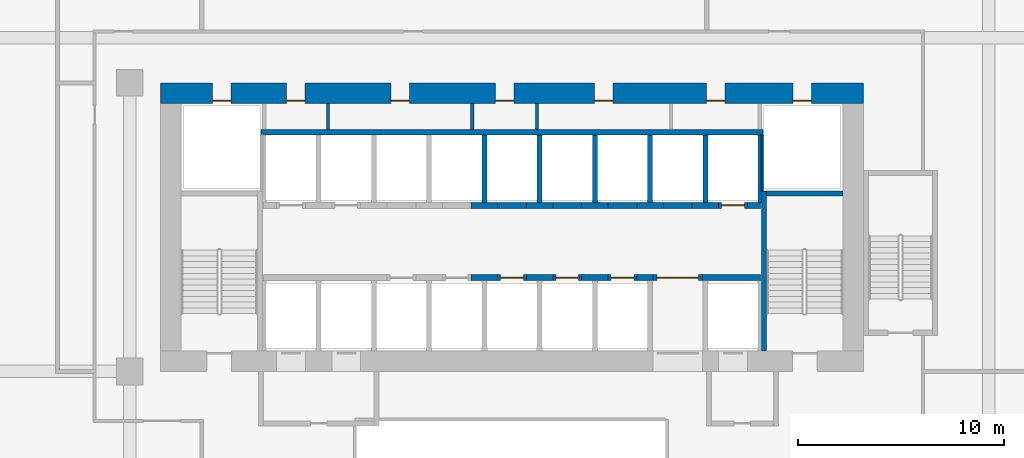
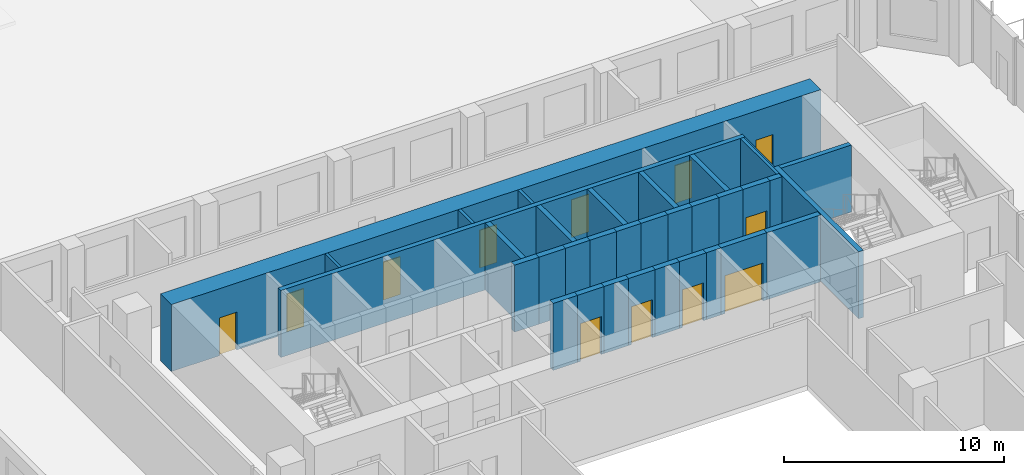
# One storey, part 18 of 29: 34 walls, 12 doors, 12 openings.
"""IFC4 building model written with IfcOpenShell, lengths in metres."""

from ifc_helpers import new_model, si_unit, direction, frame, frame_2d, origin, place, context, subcontext, project, spatial, rectangle, extrude, source, transform, mapped, material, layer, layer_set, type_object, element, fill, save


model = new_model("IFC4")

# Units and contexts
model_context = context("Model", 3, precision=1e-05, world=origin(), true_north=direction((0.0, 1.0)))
body_context = subcontext(model_context, "Body", "Model", "MODEL_VIEW")
ifc_project = project(units=[si_unit("LENGTHUNIT", "METRE"), si_unit("AREAUNIT", "SQUARE_METRE"), si_unit("VOLUMEUNIT", "CUBIC_METRE"), si_unit("PLANEANGLEUNIT", "RADIAN"), si_unit("MASSUNIT", "GRAM", prefix="KILO")], contexts=[model_context])

# Site, building, storey
site_placement = place(None, origin())
site = spatial("IfcSite", under=ifc_project, at=site_placement, CompositionType="ELEMENT")
building_placement = place(site_placement, origin())
building = spatial("IfcBuilding", under=site, at=building_placement, Name="Kilnfold Tower and Market Hall", CompositionType="ELEMENT")
storey_placement = place(building_placement, frame((0.0, 0.0, 27.0)))
storey = spatial("IfcBuildingStorey", under=building, at=storey_placement, Name="L05", CompositionType="ELEMENT", Elevation=27.0)

# Wall, openings, doors
ifc_material_1 = material(Name="Concrete C80", Category="concrete")
ifc_layer_1 = layer(ifc_material_1, 1.0)
ifc_layer_set_1 = layer_set([ifc_layer_1], Name="Concrete C80")
wall_type_1 = type_object("IfcWallType", Name="CORE WALL 1000 C80", PredefinedType="SHEAR", material=ifc_layer_set_1)
shared_shape_1 = source(origin(), body_context, "Body", "SweptSolid", [
    extrude(rectangle(XDim=34.10009765625, YDim=1.0, at=frame_2d((17.050048828125, 0.0))), origin(), (0.0, 0.0, 1.0), 3.719970703125),
])
wall_1_placement = place(storey_placement, frame((-16.0, 21.5, 0.0), z_axis=(0.0, 0.0, 1.0), x_axis=(1.0, 0.0, 0.0)))
wall_1 = element("IfcWall", 1, at=wall_1_placement, inside=storey, type_object=wall_type_1, Name="Core outer wall north", PredefinedType="SHEAR", context=body_context, shape_type="MappedRepresentation", body=[
    mapped(shared_shape_1, transform((0.0, 0.0, 0.0))),
])
opening_1_placement = place(wall_1_placement, frame((6.10791015625, 0.0, 0.0)))
opening_1 = element("IfcOpeningElement", 2, at=opening_1_placement, cuts=wall_1, Name="Opening KD1", PredefinedType="OPENING", context=body_context, shape_type="SweptSolid", body=[
    extrude(rectangle(XDim=0.89990234375, YDim=2.10009765625, at=frame_2d((0.449951171875, 1.050048828125))), frame((0.0, 0.510009765625, 0.0), z_axis=(0.0, -1.0, 0.0), x_axis=(1.0, 0.0, 0.0)), (0.0, 0.0, 1.0), 1.02001953125),
])
opening_2_placement = place(wall_1_placement, frame((11.173095703125, 0.0, 0.0)))
opening_2 = element("IfcOpeningElement", 3, at=opening_2_placement, cuts=wall_1, Name="Opening KD1", PredefinedType="OPENING", context=body_context, shape_type="SweptSolid", body=[
    extrude(rectangle(XDim=0.89990234375, YDim=2.10009765625, at=frame_2d((0.449951171875, 1.050048828125))), frame((0.0, 0.510009765625, 0.0), z_axis=(0.0, -1.0, 0.0), x_axis=(1.0, 0.0, 0.0)), (0.0, 0.0, 1.0), 1.02001953125),
])
opening_3_placement = place(wall_1_placement, frame((16.23828125, 0.0, 0.0)))
opening_3 = element("IfcOpeningElement", 4, at=opening_3_placement, cuts=wall_1, Name="Opening KD1", PredefinedType="OPENING", context=body_context, shape_type="SweptSolid", body=[
    extrude(rectangle(XDim=0.89990234375, YDim=2.10009765625, at=frame_2d((0.449951171875, 1.050048828125))), frame((0.0, 0.510009765625, 0.0), z_axis=(0.0, -1.0, 0.0), x_axis=(1.0, 0.0, 0.0)), (0.0, 0.0, 1.0), 1.02001953125),
])
opening_4_placement = place(wall_1_placement, frame((21.062255859375, 0.0, 0.0)))
opening_4 = element("IfcOpeningElement", 5, at=opening_4_placement, cuts=wall_1, Name="Opening KD1", PredefinedType="OPENING", context=body_context, shape_type="SweptSolid", body=[
    extrude(rectangle(XDim=0.89990234375, YDim=2.10009765625, at=frame_2d((0.449951171875, 1.050048828125))), frame((0.0, 0.510009765625, 0.0), z_axis=(0.0, -1.0, 0.0), x_axis=(1.0, 0.0, 0.0)), (0.0, 0.0, 1.0), 1.02001953125),
])
opening_5_placement = place(wall_1_placement, frame((26.4892578125, 0.0, 0.0)))
opening_5 = element("IfcOpeningElement", 6, at=opening_5_placement, cuts=wall_1, Name="Opening KD1", PredefinedType="OPENING", context=body_context, shape_type="SweptSolid", body=[
    extrude(rectangle(XDim=0.89990234375, YDim=2.10009765625, at=frame_2d((0.449951171875, 1.050048828125))), frame((0.0, 0.510009765625, 0.0), z_axis=(0.0, -1.0, 0.0), x_axis=(1.0, 0.0, 0.0)), (0.0, 0.0, 1.0), 1.02001953125),
])
opening_6_placement = place(wall_1_placement, frame((2.52490234375, 0.0, 0.0)))
opening_6 = element("IfcOpeningElement", 7, at=opening_6_placement, cuts=wall_1, Name="Opening KD1", PredefinedType="OPENING", context=body_context, shape_type="SweptSolid", body=[
    extrude(rectangle(XDim=0.89990234375, YDim=2.10009765625, at=frame_2d((0.449951171875, 1.050048828125))), frame((0.0, 0.510009765625, 0.0), z_axis=(0.0, -1.0, 0.0), x_axis=(1.0, 0.0, 0.0)), (0.0, 0.0, 1.0), 1.02001953125),
])
opening_7_placement = place(wall_1_placement, frame((30.675048828125, 0.0, 0.0)))
opening_7 = element("IfcOpeningElement", 8, at=opening_7_placement, cuts=wall_1, Name="Opening KD1", PredefinedType="OPENING", context=body_context, shape_type="SweptSolid", body=[
    extrude(rectangle(XDim=0.89990234375, YDim=2.10009765625, at=frame_2d((0.449951171875, 1.050048828125))), frame((0.0, 0.510009765625, 0.0), z_axis=(0.0, -1.0, 0.0), x_axis=(1.0, 0.0, 0.0)), (0.0, 0.0, 1.0), 1.02001953125),
])
ifc_material_2 = material(Name="Steel door set with fire-resisting leaf", Category="steel")
door_type_1 = type_object("IfcDoorType", Name="SERVICE DOOR 900X2100", OperationType="NOTDEFINED", PredefinedType="DOOR", material=ifc_material_2)
door_1_placement = place(opening_1_placement, origin())
door_1 = element("IfcDoor", 9, at=door_1_placement, inside=storey, type_object=door_type_1, Name="Core service door", OperationType="SINGLE_SWING_RIGHT", OverallHeight=2.10009765625, OverallWidth=0.89990234375, PredefinedType="DOOR", context=body_context, shape_type="SweptSolid", body=[
    extrude(rectangle(XDim=0.89990234375, YDim=2.10009765625, at=frame_2d((0.449951171875, 1.050048828125))), frame((0.0, -0.35498046875, 0.0), z_axis=(0.0, -1.0, 0.0), x_axis=(1.0, 0.0, 0.0)), (0.0, 0.0, 1.0), 0.050048828125),
])
fill(opening_1, door_1)
door_2_placement = place(opening_2_placement, origin())
door_2 = element("IfcDoor", 10, at=door_2_placement, inside=storey, type_object=door_type_1, Name="Core service door", OperationType="SINGLE_SWING_LEFT", OverallHeight=2.10009765625, OverallWidth=0.89990234375, PredefinedType="DOOR", context=body_context, shape_type="SweptSolid", body=[
    extrude(rectangle(XDim=0.89990234375, YDim=2.10009765625, at=frame_2d((0.449951171875, 1.050048828125))), frame((0.0, -0.35498046875, 0.0), z_axis=(0.0, -1.0, 0.0), x_axis=(1.0, 0.0, 0.0)), (0.0, 0.0, 1.0), 0.050048828125),
])
fill(opening_2, door_2)
door_3_placement = place(opening_3_placement, origin())
door_3 = element("IfcDoor", 11, at=door_3_placement, inside=storey, type_object=door_type_1, Name="Core service door", OperationType="SINGLE_SWING_RIGHT", OverallHeight=2.10009765625, OverallWidth=0.89990234375, PredefinedType="DOOR", context=body_context, shape_type="SweptSolid", body=[
    extrude(rectangle(XDim=0.89990234375, YDim=2.10009765625, at=frame_2d((0.449951171875, 1.050048828125))), frame((0.0, -0.35498046875, 0.0), z_axis=(0.0, -1.0, 0.0), x_axis=(1.0, 0.0, 0.0)), (0.0, 0.0, 1.0), 0.050048828125),
])
fill(opening_3, door_3)
door_4_placement = place(opening_4_placement, origin())
door_4 = element("IfcDoor", 12, at=door_4_placement, inside=storey, type_object=door_type_1, Name="Core service door", OperationType="SINGLE_SWING_LEFT", OverallHeight=2.10009765625, OverallWidth=0.89990234375, PredefinedType="DOOR", context=body_context, shape_type="SweptSolid", body=[
    extrude(rectangle(XDim=0.89990234375, YDim=2.10009765625, at=frame_2d((0.449951171875, 1.050048828125))), frame((0.0, -0.35498046875, 0.0), z_axis=(0.0, -1.0, 0.0), x_axis=(1.0, 0.0, 0.0)), (0.0, 0.0, 1.0), 0.050048828125),
])
fill(opening_4, door_4)
door_5_placement = place(opening_5_placement, origin())
door_5 = element("IfcDoor", 13, at=door_5_placement, inside=storey, type_object=door_type_1, Name="Core service door", OperationType="SINGLE_SWING_RIGHT", OverallHeight=2.10009765625, OverallWidth=0.89990234375, PredefinedType="DOOR", context=body_context, shape_type="SweptSolid", body=[
    extrude(rectangle(XDim=0.89990234375, YDim=2.10009765625, at=frame_2d((0.449951171875, 1.050048828125))), frame((0.0, -0.35498046875, 0.0), z_axis=(0.0, -1.0, 0.0), x_axis=(1.0, 0.0, 0.0)), (0.0, 0.0, 1.0), 0.050048828125),
])
fill(opening_5, door_5)
door_6_placement = place(opening_6_placement, origin())
door_6 = element("IfcDoor", 14, at=door_6_placement, inside=storey, type_object=door_type_1, Name="Electrical riser access door", OperationType="SINGLE_SWING_LEFT", OverallHeight=2.10009765625, OverallWidth=0.89990234375, PredefinedType="DOOR", context=body_context, shape_type="SweptSolid", body=[
    extrude(rectangle(XDim=0.89990234375, YDim=2.10009765625, at=frame_2d((0.449951171875, 1.050048828125))), frame((0.0, -0.35498046875, 0.0), z_axis=(0.0, -1.0, 0.0), x_axis=(1.0, 0.0, 0.0)), (0.0, 0.0, 1.0), 0.050048828125),
])
fill(opening_6, door_6)
door_7_placement = place(opening_7_placement, origin())
door_7 = element("IfcDoor", 15, at=door_7_placement, inside=storey, type_object=door_type_1, Name="Mechanical riser access door", OperationType="SINGLE_SWING_RIGHT", OverallHeight=2.10009765625, OverallWidth=0.89990234375, PredefinedType="DOOR", context=body_context, shape_type="SweptSolid", body=[
    extrude(rectangle(XDim=0.89990234375, YDim=2.10009765625, at=frame_2d((0.449951171875, 1.050048828125))), frame((0.0, -0.35498046875, 0.0), z_axis=(0.0, -1.0, 0.0), x_axis=(1.0, 0.0, 0.0)), (0.0, 0.0, 1.0), 0.050048828125),
])
fill(opening_7, door_7)

# Walls
ifc_material_3 = material(Name="Concrete C80", Category="concrete")
ifc_layer_2 = layer(ifc_material_3, 0.25)
ifc_layer_set_2 = layer_set([ifc_layer_2], Name="Concrete C80")
wall_type_2 = type_object("IfcWallType", Name="CORE WALL 250 C80", PredefinedType="SHEAR", material=ifc_layer_set_2)
shared_shape_2 = source(origin(), body_context, "Body", "SweptSolid", [
    extrude(rectangle(XDim=7.75, YDim=0.25, at=frame_2d((3.875, 0.0))), origin(), (0.0, 0.0, 1.0), 3.719970703125),
])
wall_2_placement = place(storey_placement, frame((13.27490234375, 9.0, 0.0), z_axis=(0.0, 0.0, 1.0), x_axis=(0.0, 1.0, 0.0)))
element("IfcWall", 16, at=wall_2_placement, inside=storey, type_object=wall_type_2, Name="Stair enclosure ST2", PredefinedType="SHEAR", context=body_context, shape_type="MappedRepresentation", body=[
    mapped(shared_shape_2, transform((0.0, 0.0, 0.0))),
])
shared_shape_3 = source(origin(), body_context, "Body", "SweptSolid", [
    extrude(rectangle(XDim=3.7001953125, YDim=0.25, at=frame_2d((1.85009765625, 0.0))), origin(), (0.0, 0.0, 1.0), 3.719970703125),
])
wall_3_placement = place(storey_placement, frame((13.39990234375, 16.625, 0.0), z_axis=(0.0, 0.0, 1.0), x_axis=(1.0, 0.0, 0.0)))
element("IfcWall", 17, at=wall_3_placement, inside=storey, type_object=wall_type_2, Name="Stair enclosure ST2", PredefinedType="SHEAR", context=body_context, shape_type="MappedRepresentation", body=[
    mapped(shared_shape_3, transform((0.0, 0.0, 0.0))),
])
ifc_material_4 = material(Name="Concrete C80", Category="concrete")
ifc_layer_3 = layer(ifc_material_4, 0.300048828125)
ifc_layer_set_3 = layer_set([ifc_layer_3], Name="Concrete C80")
wall_type_3 = type_object("IfcWallType", Name="CORE WALL 300 C80", PredefinedType="SHEAR", material=ifc_layer_set_3)
shared_shape_4 = source(origin(), body_context, "Body", "SweptSolid", [
    extrude(rectangle(XDim=1.280029296875, YDim=0.300048828125, at=frame_2d((0.64013671875, 0.0))), origin(), (0.0, 0.0, 1.0), 3.719970703125),
])
for number, where, z_axis, x_axis, name in (
    (18, (-0.929931640625, 12.550048828125, 0.0), (0.0, 0.0, 1.0), (1.0, 0.0, 0.0), "Core spine wall"),
    (19, (1.75, 12.550048828125, 0.0), (0.0, 0.0, 1.0), (1.0, 0.0, 0.0), "Core spine wall"),
    (20, (4.429931640625, 12.550048828125, 0.0), (0.0, 0.0, 1.0), (1.0, 0.0, 0.0), "Core spine wall"),
    (21, (-0.929931640625, 16.050048828125, 0.0), (0.0, 0.0, 1.0), (1.0, 0.0, 0.0), "Core spine wall"),
    (22, (1.75, 16.050048828125, 0.0), (0.0, 0.0, 1.0), (1.0, 0.0, 0.0), "Core spine wall"),
    (23, (4.429931640625, 16.050048828125, 0.0), (0.0, 0.0, 1.0), (1.0, 0.0, 0.0), "Core spine wall"),
    (24, (9.7900390625, 16.050048828125, 0.0), (0.0, 0.0, 1.0), (1.0, 0.0, 0.0), "Core spine wall"),
):
    element("IfcWall", number, at=place(storey_placement, frame(where, z_axis=z_axis, x_axis=x_axis)), inside=storey, type_object=wall_type_3, Name=name, PredefinedType="SHEAR", context=body_context, shape_type="MappedRepresentation", body=[
        mapped(shared_shape_4, transform((0.0, 0.0, 0.0))),
    ])
shared_shape_5 = source(origin(), body_context, "Body", "SweptSolid", [
    extrude(rectangle(XDim=0.77978515625, YDim=0.300048828125, at=frame_2d((0.389892578125, 0.0))), origin(), (0.0, 0.0, 1.0), 3.719970703125),
])
wall_4_placement = place(storey_placement, frame((7.110107421875, 12.550048828125, 0.0), z_axis=(0.0, 0.0, 1.0), x_axis=(1.0, 0.0, 0.0)))
element("IfcWall", 25, at=wall_4_placement, inside=storey, type_object=wall_type_3, Name="Core spine wall", PredefinedType="SHEAR", context=body_context, shape_type="MappedRepresentation", body=[
    mapped(shared_shape_5, transform((0.0, 0.0, 0.0))),
])
shared_shape_6 = source(origin(), body_context, "Body", "SweptSolid", [
    extrude(rectangle(XDim=2.820068359375, YDim=0.300048828125, at=frame_2d((1.41015625, 0.0))), origin(), (0.0, 0.0, 1.0), 3.719970703125),
])
wall_5_placement = place(storey_placement, frame((10.2900390625, 12.550048828125, 0.0), z_axis=(0.0, 0.0, 1.0), x_axis=(1.0, 0.0, 0.0)))
element("IfcWall", 26, at=wall_5_placement, inside=storey, type_object=wall_type_3, Name="Core spine wall", PredefinedType="SHEAR", context=body_context, shape_type="MappedRepresentation", body=[
    mapped(shared_shape_6, transform((0.0, 0.0, 0.0))),
])
shared_shape_7 = source(origin(), body_context, "Body", "SweptSolid", [
    extrude(rectangle(XDim=1.27978515625, YDim=0.300048828125, at=frame_2d((0.639892578125, 0.0))), origin(), (0.0, 0.0, 1.0), 3.719970703125),
])
wall_6_placement = place(storey_placement, frame((7.110107421875, 16.050048828125, 0.0), z_axis=(0.0, 0.0, 1.0), x_axis=(1.0, 0.0, 0.0)))
element("IfcWall", 27, at=wall_6_placement, inside=storey, type_object=wall_type_3, Name="Core spine wall", PredefinedType="SHEAR", context=body_context, shape_type="MappedRepresentation", body=[
    mapped(shared_shape_7, transform((0.0, 0.0, 0.0))),
])
shared_shape_8 = source(origin(), body_context, "Body", "SweptSolid", [
    extrude(rectangle(XDim=0.64013671875, YDim=0.300048828125, at=frame_2d((0.320068359375, 0.0))), origin(), (0.0, 0.0, 1.0), 3.719970703125),
])
wall_7_placement = place(storey_placement, frame((12.469970703125, 16.050048828125, 0.0), z_axis=(0.0, 0.0, 1.0), x_axis=(1.0, 0.0, 0.0)))
element("IfcWall", 28, at=wall_7_placement, inside=storey, type_object=wall_type_3, Name="Core spine wall", PredefinedType="SHEAR", context=body_context, shape_type="MappedRepresentation", body=[
    mapped(shared_shape_8, transform((0.0, 0.0, 0.0))),
])

# Wall, opening, door
ifc_material_5 = material(Name="Gypsum shaft wall system")
ifc_layer_4 = layer(ifc_material_5, 0.300048828125)
ifc_layer_set_4 = layer_set([ifc_layer_4], Name="Gypsum shaft wall system")
wall_type_4 = type_object("IfcWallType", Name="SHAFT WALL 300", PredefinedType="PARTITIONING", material=ifc_layer_set_4)
shared_shape_9 = source(origin(), body_context, "Body", "SweptSolid", [
    extrude(rectangle(XDim=1.39990234375, YDim=0.300048828125, at=frame_2d((0.699951171875, 0.0))), origin(), (0.0, 0.0, 1.0), 3.719970703125),
])
wall_8_placement = place(storey_placement, frame((0.35009765625, 12.550048828125, 0.0), z_axis=(0.0, 0.0, 1.0), x_axis=(1.0, 0.0, 0.0)))
wall_8 = element("IfcWall", 29, at=wall_8_placement, inside=storey, type_object=wall_type_4, Name="Lift shaft front wall", PredefinedType="PARTITIONING", context=body_context, shape_type="MappedRepresentation", body=[
    mapped(shared_shape_9, transform((0.0, 0.0, 0.0))),
])
opening_8_placement = place(wall_8_placement, frame((0.14990234375, 0.0, 0.0)))
opening_8 = element("IfcOpeningElement", 30, at=opening_8_placement, cuts=wall_8, Name="Opening LD2", PredefinedType="OPENING", context=body_context, shape_type="SweptSolid", body=[
    extrude(rectangle(XDim=1.10009765625, YDim=2.10009765625, at=frame_2d((0.550048828125, 1.050048828125))), frame((0.0, 0.16015625, 0.0), z_axis=(0.0, -1.0, 0.0), x_axis=(1.0, 0.0, 0.0)), (0.0, 0.0, 1.0), 0.320068359375),
])
ifc_material_6 = material(Name="Steel door set with fire-resisting leaf", Category="steel")
door_type_2 = type_object("IfcDoorType", Name="LANDING DOOR 1100X2100", OperationType="NOTDEFINED", PredefinedType="DOOR", material=ifc_material_6)
door_8_placement = place(opening_8_placement, origin())
door_8 = element("IfcDoor", 31, at=door_8_placement, inside=storey, type_object=door_type_2, Name="Landing door LR3", OperationType="DOUBLE_DOOR_SLIDING", OverallHeight=2.10009765625, OverallWidth=1.10009765625, PredefinedType="DOOR", context=body_context, shape_type="SweptSolid", body=[
    extrude(rectangle(XDim=1.10009765625, YDim=2.10009765625, at=frame_2d((0.550048828125, 1.050048828125))), frame((0.0, 0.02490234375, 0.0), z_axis=(0.0, -1.0, 0.0), x_axis=(1.0, 0.0, 0.0)), (0.0, 0.0, 1.0), 0.050048828125),
])
fill(opening_8, door_8)

wall_9_placement = place(storey_placement, frame((3.030029296875, 12.550048828125, 0.0), z_axis=(0.0, 0.0, 1.0), x_axis=(1.0, 0.0, 0.0)))
wall_9 = element("IfcWall", 32, at=wall_9_placement, inside=storey, type_object=wall_type_4, Name="Lift shaft front wall", PredefinedType="PARTITIONING", context=body_context, shape_type="MappedRepresentation", body=[
    mapped(shared_shape_9, transform((0.0, 0.0, 0.0))),
])
opening_9_placement = place(wall_9_placement, frame((0.14990234375, 0.0, 0.0)))
opening_9 = element("IfcOpeningElement", 33, at=opening_9_placement, cuts=wall_9, Name="Opening LD2", PredefinedType="OPENING", context=body_context, shape_type="SweptSolid", body=[
    extrude(rectangle(XDim=1.10009765625, YDim=2.10009765625, at=frame_2d((0.550048828125, 1.050048828125))), frame((0.0, 0.16015625, 0.0), z_axis=(0.0, -1.0, 0.0), x_axis=(1.0, 0.0, 0.0)), (0.0, 0.0, 1.0), 0.320068359375),
])
door_9_placement = place(opening_9_placement, origin())
door_9 = element("IfcDoor", 34, at=door_9_placement, inside=storey, type_object=door_type_2, Name="Landing door LR4", OperationType="DOUBLE_DOOR_SLIDING", OverallHeight=2.10009765625, OverallWidth=1.10009765625, PredefinedType="DOOR", context=body_context, shape_type="SweptSolid", body=[
    extrude(rectangle(XDim=1.10009765625, YDim=2.10009765625, at=frame_2d((0.550048828125, 1.050048828125))), frame((0.0, 0.02490234375, 0.0), z_axis=(0.0, -1.0, 0.0), x_axis=(1.0, 0.0, 0.0)), (0.0, 0.0, 1.0), 0.050048828125),
])
fill(opening_9, door_9)

wall_10_placement = place(storey_placement, frame((11.070068359375, 16.050048828125, 0.0), z_axis=(0.0, 0.0, 1.0), x_axis=(1.0, 0.0, 0.0)))
wall_10 = element("IfcWall", 35, at=wall_10_placement, inside=storey, type_object=wall_type_4, Name="Lift shaft front wall", PredefinedType="PARTITIONING", context=body_context, shape_type="MappedRepresentation", body=[
    mapped(shared_shape_9, transform((0.0, 0.0, 0.0))),
])
opening_10_placement = place(wall_10_placement, frame((0.14990234375, 0.0, 0.0)))
opening_10 = element("IfcOpeningElement", 36, at=opening_10_placement, cuts=wall_10, Name="Opening LD2", PredefinedType="OPENING", context=body_context, shape_type="SweptSolid", body=[
    extrude(rectangle(XDim=1.10009765625, YDim=2.10009765625, at=frame_2d((0.550048828125, 1.050048828125))), frame((0.0, 0.16015625, 0.0), z_axis=(0.0, -1.0, 0.0), x_axis=(1.0, 0.0, 0.0)), (0.0, 0.0, 1.0), 0.320068359375),
])
door_10_placement = place(opening_10_placement, origin())
door_10 = element("IfcDoor", 37, at=door_10_placement, inside=storey, type_object=door_type_2, Name="Landing door LR6", OperationType="DOUBLE_DOOR_SLIDING", OverallHeight=2.10009765625, OverallWidth=1.10009765625, PredefinedType="DOOR", context=body_context, shape_type="SweptSolid", body=[
    extrude(rectangle(XDim=1.10009765625, YDim=2.10009765625, at=frame_2d((0.550048828125, 1.050048828125))), frame((0.0, 0.02490234375, 0.0), z_axis=(0.0, -1.0, 0.0), x_axis=(1.0, 0.0, 0.0)), (0.0, 0.0, 1.0), 0.050048828125),
])
fill(opening_10, door_10)

# Walls
for number, where, z_axis, x_axis, name in (
    (38, (0.35009765625, 16.050048828125, 0.0), (0.0, 0.0, 1.0), (1.0, 0.0, 0.0), "Lift shaft front wall"),
    (39, (3.030029296875, 16.050048828125, 0.0), (0.0, 0.0, 1.0), (1.0, 0.0, 0.0), "Lift shaft front wall"),
):
    element("IfcWall", number, at=place(storey_placement, frame(where, z_axis=z_axis, x_axis=x_axis)), inside=storey, type_object=wall_type_4, Name=name, PredefinedType="PARTITIONING", context=body_context, shape_type="MappedRepresentation", body=[
        mapped(shared_shape_9, transform((0.0, 0.0, 0.0))),
    ])

# Wall, opening, door
shared_shape_10 = source(origin(), body_context, "Body", "SweptSolid", [
    extrude(rectangle(XDim=1.400146484375, YDim=0.300048828125, at=frame_2d((0.7001953125, 0.0))), origin(), (0.0, 0.0, 1.0), 3.719970703125),
])
wall_11_placement = place(storey_placement, frame((5.7099609375, 12.550048828125, 0.0), z_axis=(0.0, 0.0, 1.0), x_axis=(1.0, 0.0, 0.0)))
wall_11 = element("IfcWall", 40, at=wall_11_placement, inside=storey, type_object=wall_type_4, Name="Lift shaft front wall", PredefinedType="PARTITIONING", context=body_context, shape_type="MappedRepresentation", body=[
    mapped(shared_shape_10, transform((0.0, 0.0, 0.0))),
])
opening_11_placement = place(wall_11_placement, frame((0.14990234375, 0.0, 0.0)))
opening_11 = element("IfcOpeningElement", 41, at=opening_11_placement, cuts=wall_11, Name="Opening LD2", PredefinedType="OPENING", context=body_context, shape_type="SweptSolid", body=[
    extrude(rectangle(XDim=1.10009765625, YDim=2.10009765625, at=frame_2d((0.550048828125, 1.050048828125))), frame((0.0, 0.16015625, 0.0), z_axis=(0.0, -1.0, 0.0), x_axis=(1.0, 0.0, 0.0)), (0.0, 0.0, 1.0), 0.320068359375),
])
door_11_placement = place(opening_11_placement, origin())
door_11 = element("IfcDoor", 42, at=door_11_placement, inside=storey, type_object=door_type_2, Name="Landing door LR5", OperationType="DOUBLE_DOOR_SLIDING", OverallHeight=2.10009765625, OverallWidth=1.10009765625, PredefinedType="DOOR", context=body_context, shape_type="SweptSolid", body=[
    extrude(rectangle(XDim=1.10009765625, YDim=2.10009765625, at=frame_2d((0.550048828125, 1.050048828125))), frame((0.0, 0.02490234375, 0.0), z_axis=(0.0, -1.0, 0.0), x_axis=(1.0, 0.0, 0.0)), (0.0, 0.0, 1.0), 0.050048828125),
])
fill(opening_11, door_11)

# Walls
for number, where, z_axis, x_axis, name in (
    (43, (5.7099609375, 16.050048828125, 0.0), (0.0, 0.0, 1.0), (1.0, 0.0, 0.0), "Lift shaft front wall"),
    (44, (8.389892578125, 16.050048828125, 0.0), (0.0, 0.0, 1.0), (1.0, 0.0, 0.0), "Lift shaft front wall"),
):
    element("IfcWall", number, at=place(storey_placement, frame(where, z_axis=z_axis, x_axis=x_axis)), inside=storey, type_object=wall_type_4, Name=name, PredefinedType="PARTITIONING", context=body_context, shape_type="MappedRepresentation", body=[
        mapped(shared_shape_10, transform((0.0, 0.0, 0.0))),
    ])

# Wall, opening, door
shared_shape_11 = source(origin(), body_context, "Body", "SweptSolid", [
    extrude(rectangle(XDim=2.400146484375, YDim=0.300048828125, at=frame_2d((1.2001953125, 0.0))), origin(), (0.0, 0.0, 1.0), 3.719970703125),
])
wall_12_placement = place(storey_placement, frame((7.889892578125, 12.550048828125, 0.0), z_axis=(0.0, 0.0, 1.0), x_axis=(1.0, 0.0, 0.0)))
wall_12 = element("IfcWall", 45, at=wall_12_placement, inside=storey, type_object=wall_type_4, Name="Lift shaft front wall", PredefinedType="PARTITIONING", context=body_context, shape_type="MappedRepresentation", body=[
    mapped(shared_shape_11, transform((0.0, 0.0, 0.0))),
])
opening_12_placement = place(wall_12_placement, frame((0.199951171875, 0.0, 0.0)))
opening_12 = element("IfcOpeningElement", 46, at=opening_12_placement, cuts=wall_12, Name="Opening VD2", PredefinedType="OPENING", context=body_context, shape_type="SweptSolid", body=[
    extrude(rectangle(XDim=2.0, YDim=2.10009765625, at=frame_2d((1.0, 1.050048828125))), frame((0.0, 0.16015625, 0.0), z_axis=(0.0, -1.0, 0.0), x_axis=(1.0, 0.0, 0.0)), (0.0, 0.0, 1.0), 0.320068359375),
])
ifc_material_7 = material(Name="Steel door set with fire-resisting leaf", Category="steel")
door_type_3 = type_object("IfcDoorType", Name="LIFT LOBBY ENTRANCE DOOR 2000X2100", OperationType="NOTDEFINED", PredefinedType="DOOR", material=ifc_material_7)
door_12_placement = place(opening_12_placement, origin())
door_12 = element("IfcDoor", 47, at=door_12_placement, inside=storey, type_object=door_type_3, Name="Lift lobby entrance door", OperationType="DOUBLE_DOOR_SINGLE_SWING", OverallHeight=2.10009765625, OverallWidth=2.0, PredefinedType="DOOR", context=body_context, shape_type="SweptSolid", body=[
    extrude(rectangle(XDim=2.0, YDim=2.10009765625, at=frame_2d((1.0, 1.050048828125))), frame((0.0, 0.02490234375, 0.0), z_axis=(0.0, -1.0, 0.0), x_axis=(1.0, 0.0, 0.0)), (0.0, 0.0, 1.0), 0.050048828125),
])
fill(opening_12, door_12)

# Walls
ifc_material_8 = material(Name="Gypsum shaft wall system")
ifc_layer_5 = layer(ifc_material_8, 0.25)
ifc_layer_set_5 = layer_set([ifc_layer_5], Name="Gypsum shaft wall system")
wall_type_5 = type_object("IfcWallType", Name="SHAFT WALL 250", PredefinedType="PARTITIONING", material=ifc_layer_set_5)
shared_shape_12 = source(origin(), body_context, "Body", "SweptSolid", [
    extrude(rectangle(XDim=24.3701171875, YDim=0.25, at=frame_2d((12.18505859375, 0.0))), origin(), (0.0, 0.0, 1.0), 3.719970703125),
])
wall_13_placement = place(storey_placement, frame((-11.135009765625, 19.60009765625, 0.0), z_axis=(0.0, 0.0, 1.0), x_axis=(1.0, 0.0, 0.0)))
element("IfcWall", 48, at=wall_13_placement, inside=storey, type_object=wall_type_5, Name="Lift shaft wall", PredefinedType="PARTITIONING", context=body_context, shape_type="MappedRepresentation", body=[
    mapped(shared_shape_12, transform((0.0, 0.0, 0.0))),
])
ifc_material_9 = material(Name="Gypsum shaft wall system")
ifc_layer_6 = layer(ifc_material_9, 0.1650390625)
ifc_layer_set_6 = layer_set([ifc_layer_6], Name="Gypsum shaft wall system")
wall_type_6 = type_object("IfcWallType", Name="SHAFT WALL 165", PredefinedType="PARTITIONING", material=ifc_layer_set_6)
shared_shape_13 = source(origin(), body_context, "Body", "SweptSolid", [
    extrude(rectangle(XDim=3.275146484375, YDim=0.1650390625, at=frame_2d((1.6376953125, 0.0))), origin(), (0.0, 0.0, 1.0), 3.719970703125),
])
wall_14_placement = place(storey_placement, frame((13.0673828125, 16.199951171875, 0.0), z_axis=(0.0, 0.0, 1.0), x_axis=(0.0, 1.0, 0.0)))
element("IfcWall", 49, at=wall_14_placement, inside=storey, type_object=wall_type_6, Name="Lift shaft wall", PredefinedType="PARTITIONING", context=body_context, shape_type="MappedRepresentation", body=[
    mapped(shared_shape_13, transform((0.0, 0.0, 0.0))),
])
shared_shape_14 = source(origin(), body_context, "Body", "SweptSolid", [
    extrude(rectangle(XDim=3.275146484375, YDim=0.25, at=frame_2d((1.6376953125, 0.0))), origin(), (0.0, 0.0, 1.0), 3.719970703125),
])
for number, where, z_axis, x_axis, name in (
    (50, (10.429931640625, 16.199951171875, 0.0), (0.0, 0.0, 1.0), (0.0, 1.0, 0.0), "Lift shaft wall"),
    (51, (2.389892578125, 16.199951171875, 0.0), (0.0, 0.0, 1.0), (0.0, 1.0, 0.0), "Lift shaft wall"),
    (52, (5.070068359375, 16.199951171875, 0.0), (0.0, 0.0, 1.0), (0.0, 1.0, 0.0), "Lift shaft wall"),
    (53, (7.75, 16.199951171875, 0.0), (0.0, 0.0, 1.0), (0.0, 1.0, 0.0), "Lift shaft wall"),
    (54, (-0.2900390625, 16.199951171875, 0.0), (0.0, 0.0, 1.0), (0.0, 1.0, 0.0), "Lift shaft wall"),
):
    element("IfcWall", number, at=place(storey_placement, frame(where, z_axis=z_axis, x_axis=x_axis)), inside=storey, type_object=wall_type_5, Name=name, PredefinedType="PARTITIONING", context=body_context, shape_type="MappedRepresentation", body=[
        mapped(shared_shape_14, transform((0.0, 0.0, 0.0))),
    ])
ifc_material_10 = material(Name="Gypsum shaft wall system")
ifc_layer_7 = layer(ifc_material_10, 0.0849609375)
ifc_layer_set_7 = layer_set([ifc_layer_7], Name="Gypsum shaft wall system")
wall_type_7 = type_object("IfcWallType", Name="SHAFT WALL 85", PredefinedType="PARTITIONING", material=ifc_layer_set_7)
shared_shape_15 = source(origin(), body_context, "Body", "SweptSolid", [
    extrude(rectangle(XDim=2.72509765625, YDim=0.0849609375, at=frame_2d((1.362548828125, 0.0))), origin(), (0.0, 0.0, 1.0), 3.719970703125),
])
wall_15_placement = place(storey_placement, frame((13.1923828125, 16.75, 0.0), z_axis=(0.0, 0.0, 1.0), x_axis=(0.0, 1.0, 0.0)))
element("IfcWall", 55, at=wall_15_placement, inside=storey, type_object=wall_type_7, Name="Lift shaft wall", PredefinedType="PARTITIONING", context=body_context, shape_type="MappedRepresentation", body=[
    mapped(shared_shape_15, transform((0.0, 0.0, 0.0))),
])
ifc_material_11 = material(Name="Gypsum shaft wall system")
ifc_layer_8 = layer(ifc_material_11, 0.14990234375)
ifc_layer_set_8 = layer_set([ifc_layer_8], Name="Gypsum shaft wall system")
wall_type_8 = type_object("IfcWallType", Name="ROOM WALL 150", PredefinedType="PARTITIONING", material=ifc_layer_set_8)
shared_shape_16 = source(origin(), body_context, "Body", "SweptSolid", [
    extrude(rectangle(XDim=1.27490234375, YDim=0.14990234375, at=frame_2d((0.637451171875, 0.0))), origin(), (0.0, 0.0, 1.0), 3.719970703125),
])
for number, where, z_axis, x_axis, name in (
    (56, (-7.87451171875, 19.72509765625, 0.0), (0.0, 0.0, 1.0), (0.0, 1.0, 0.0), "Core room wall"),
    (57, (-0.879638671875, 19.72509765625, 0.0), (0.0, 0.0, 1.0), (0.0, 1.0, 0.0), "Core room wall"),
    (58, (2.256103515625, 19.72509765625, 0.0), (0.0, 0.0, 1.0), (0.0, 1.0, 0.0), "Core room wall"),
):
    element("IfcWall", number, at=place(storey_placement, frame(where, z_axis=z_axis, x_axis=x_axis)), inside=storey, type_object=wall_type_8, Name=name, PredefinedType="PARTITIONING", context=body_context, shape_type="MappedRepresentation", body=[
        mapped(shared_shape_16, transform((0.0, 0.0, 0.0))),
    ])

save(model, "model.ifc")
